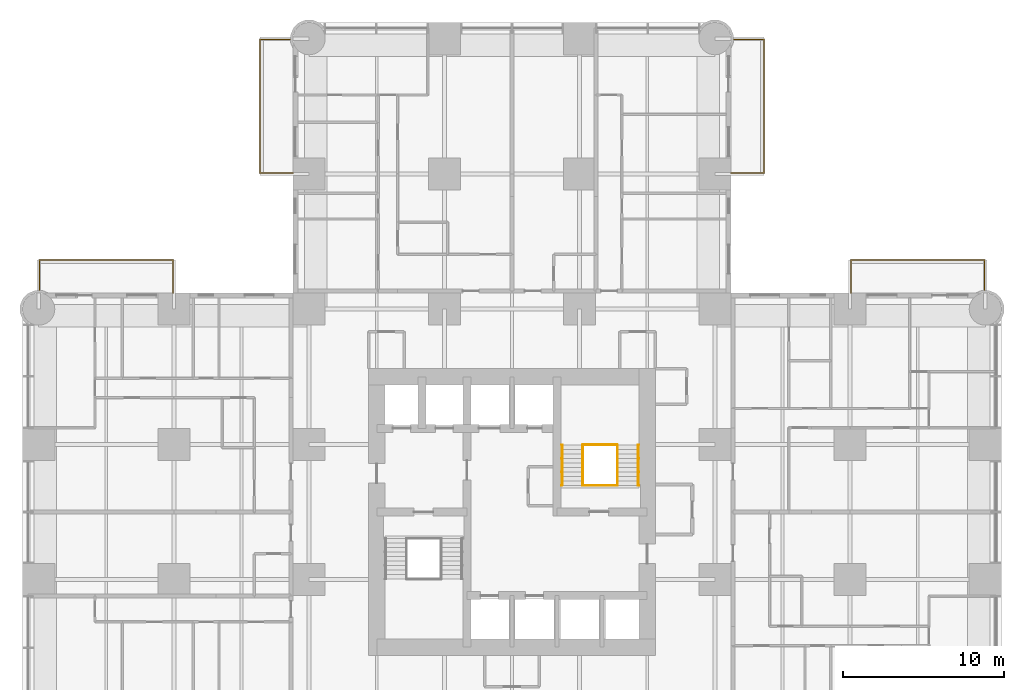
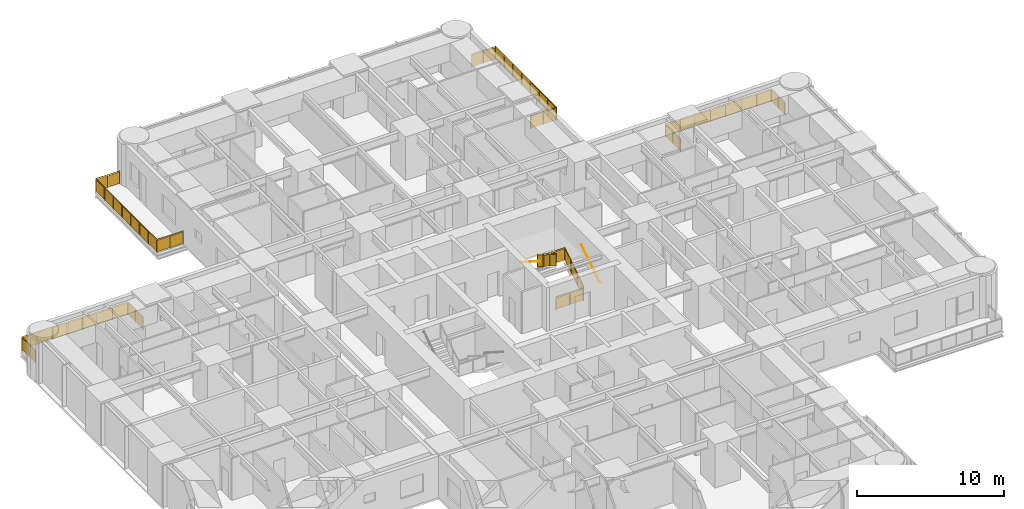
# One storey, part 17 of 17: 10 railings.
"""IFC4 building model written with IfcOpenShell, lengths in metres."""

from ifc_helpers import new_model, si_unit, direction, frame, origin, origin_2d, place, context, subcontext, project, spatial, polyline, circle, outline, extrude, material, constituent, constituent_set, type_object, element, save


model = new_model("IFC4")

# Units and contexts
model_context = context("Model", 3, precision=1e-05, world=origin(), true_north=direction((0.0, 1.0)))
body_context = subcontext(model_context, "Body", "Model", "MODEL_VIEW")
ifc_project = project(units=[si_unit("LENGTHUNIT", "METRE"), si_unit("AREAUNIT", "SQUARE_METRE"), si_unit("VOLUMEUNIT", "CUBIC_METRE"), si_unit("PLANEANGLEUNIT", "RADIAN"), si_unit("MASSUNIT", "GRAM", prefix="KILO")], contexts=[model_context])

# Site, building, storey
site_placement = place(None, origin())
site = spatial("IfcSite", under=ifc_project, at=site_placement, CompositionType="ELEMENT")
building_placement = place(site_placement, origin())
building = spatial("IfcBuilding", under=site, at=building_placement, Name="Torre Alcanfor", CompositionType="ELEMENT")
storey_placement = place(building_placement, frame((0.0, 0.0, 95.699951171875)))
storey = spatial("IfcBuildingStorey", under=building, at=storey_placement, Name="L24", CompositionType="ELEMENT", Elevation=95.699951171875)

# Railings
ifc_material_1 = material(Name="Laminated safety glass", Category="glass")
ifc_constituent_1 = constituent(ifc_material_1, Name="Infill")
ifc_material_2 = material(Name="Stainless steel ASTM A554 Grade MT 316L tube", Category="steel")
ifc_constituent_2 = constituent(ifc_material_2, Name="Posts and rail")
ifc_constituent_set = constituent_set(constituents=[ifc_constituent_1, ifc_constituent_2], Name="Balcony guard glass 1100")
railing_type_1 = type_object("IfcRailingType", Name="Balcony guard glass 1100", PredefinedType="BALUSTRADE", material=ifc_constituent_set)
railing_1_placement = place(storey_placement, frame((15.800048828125, 50.449951171875, 0.0)))
element("IfcRailing", 1, at=railing_1_placement, inside=storey, type_object=railing_type_1, Name="Balcony guard L24-N1", PredefinedType="BALUSTRADE", context=body_context, shape_type="SweptSolid", body=[
    extrude(circle(Radius=0.02392578125, at=origin_2d()), frame((0.0, 0.0, 1.076171875), z_axis=(-1.0, 0.0, 0.0), x_axis=(0.0, -1.0, 0.0)), (0.0, 0.0, 1.0), 2.050048828125),
    extrude(circle(Radius=0.02392578125, at=origin_2d()), frame((-2.050048828125, 0.0, 1.076171875), z_axis=(0.0, 1.0, 0.0), x_axis=(-1.0, 0.0, 0.0)), (0.0, 0.0, 1.0), 8.300048828125),
    extrude(circle(Radius=0.02392578125, at=origin_2d()), frame((-2.050048828125, 8.300048828125, 1.076171875), z_axis=(1.0, 0.0, 0.0), x_axis=(0.0, 1.0, 0.0)), (0.0, 0.0, 1.0), 1.868896484375),
    extrude(circle(Radius=0.02099609375, at=origin_2d()), origin(), (0.0, 0.0, 1.0), 1.052001953125),
    extrude(circle(Radius=0.02099609375, at=origin_2d()), frame((-1.02490234375, 0.0, 0.0)), (0.0, 0.0, 1.0), 1.052001953125),
    extrude(circle(Radius=0.02099609375, at=origin_2d()), frame((-2.050048828125, 0.0, 0.0)), (0.0, 0.0, 1.0), 1.052001953125),
    extrude(circle(Radius=0.02099609375, at=origin_2d()), frame((-2.050048828125, 1.185791015625, 0.0)), (0.0, 0.0, 1.0), 1.052001953125),
    extrude(circle(Radius=0.02099609375, at=origin_2d()), frame((-2.050048828125, 2.371337890625, 0.0)), (0.0, 0.0, 1.0), 1.052001953125),
    extrude(circle(Radius=0.02099609375, at=origin_2d()), frame((-2.050048828125, 3.55712890625, 0.0)), (0.0, 0.0, 1.0), 1.052001953125),
    extrude(circle(Radius=0.02099609375, at=origin_2d()), frame((-2.050048828125, 4.742919921875, 0.0)), (0.0, 0.0, 1.0), 1.052001953125),
    extrude(circle(Radius=0.02099609375, at=origin_2d()), frame((-2.050048828125, 5.9287109375, 0.0)), (0.0, 0.0, 1.0), 1.052001953125),
    extrude(circle(Radius=0.02099609375, at=origin_2d()), frame((-2.050048828125, 7.1142578125, 0.0)), (0.0, 0.0, 1.0), 1.052001953125),
    extrude(circle(Radius=0.02099609375, at=origin_2d()), frame((-2.050048828125, 8.300048828125, 0.0)), (0.0, 0.0, 1.0), 1.052001953125),
    extrude(circle(Radius=0.02099609375, at=origin_2d()), frame((-1.11572265625, 8.300048828125, 0.0)), (0.0, 0.0, 1.0), 1.052001953125),
    extrude(circle(Radius=0.02099609375, at=origin_2d()), frame((-0.18115234375, 8.300048828125, 0.0)), (0.0, 0.0, 1.0), 1.052001953125),
    extrude(outline(polyline([(0.041015625, 0.050048828125), (0.984130859375, 0.050048828125), (0.984130859375, 1.001953125), (0.041015625, 1.001953125), (0.041015625, 0.050048828125)])), frame((0.0, -0.005859375, 0.0), z_axis=(0.0, 1.0, 0.0), x_axis=(-1.0, 0.0, 0.0)), (0.0, 0.0, 1.0), 0.011962890625),
    extrude(outline(polyline([(1.06591796875, 0.050048828125), (2.009033203125, 0.050048828125), (2.009033203125, 1.001953125), (1.06591796875, 1.001953125), (1.06591796875, 0.050048828125)])), frame((0.0, -0.005859375, 0.0), z_axis=(0.0, 1.0, 0.0), x_axis=(-1.0, 0.0, 0.0)), (0.0, 0.0, 1.0), 0.011962890625),
    extrude(outline(polyline([(0.041015625, 0.050048828125), (1.144775390625, 0.050048828125), (1.144775390625, 1.001953125), (0.041015625, 1.001953125), (0.041015625, 0.050048828125)])), frame((-2.05615234375, 0.0, 0.0), z_axis=(1.0, 0.0, 0.0), x_axis=(0.0, 1.0, 0.0)), (0.0, 0.0, 1.0), 0.011962890625),
    extrude(outline(polyline([(1.226806640625, 0.050048828125), (2.330322265625, 0.050048828125), (2.330322265625, 1.001953125), (1.226806640625, 1.001953125), (1.226806640625, 0.050048828125)])), frame((-2.05615234375, 0.0, 0.0), z_axis=(1.0, 0.0, 0.0), x_axis=(0.0, 1.0, 0.0)), (0.0, 0.0, 1.0), 0.011962890625),
    extrude(outline(polyline([(2.412353515625, 0.050048828125), (3.51611328125, 0.050048828125), (3.51611328125, 1.001953125), (2.412353515625, 1.001953125), (2.412353515625, 0.050048828125)])), frame((-2.05615234375, 0.0, 0.0), z_axis=(1.0, 0.0, 0.0), x_axis=(0.0, 1.0, 0.0)), (0.0, 0.0, 1.0), 0.011962890625),
    extrude(outline(polyline([(3.59814453125, 0.050048828125), (4.701904296875, 0.050048828125), (4.701904296875, 1.001953125), (3.59814453125, 1.001953125), (3.59814453125, 0.050048828125)])), frame((-2.05615234375, 0.0, 0.0), z_axis=(1.0, 0.0, 0.0), x_axis=(0.0, 1.0, 0.0)), (0.0, 0.0, 1.0), 0.011962890625),
    extrude(outline(polyline([(4.783935546875, 0.050048828125), (5.8876953125, 0.050048828125), (5.8876953125, 1.001953125), (4.783935546875, 1.001953125), (4.783935546875, 0.050048828125)])), frame((-2.05615234375, 0.0, 0.0), z_axis=(1.0, 0.0, 0.0), x_axis=(0.0, 1.0, 0.0)), (0.0, 0.0, 1.0), 0.011962890625),
    extrude(outline(polyline([(5.9697265625, 0.050048828125), (7.0732421875, 0.050048828125), (7.0732421875, 1.001953125), (5.9697265625, 1.001953125), (5.9697265625, 0.050048828125)])), frame((-2.05615234375, 0.0, 0.0), z_axis=(1.0, 0.0, 0.0), x_axis=(0.0, 1.0, 0.0)), (0.0, 0.0, 1.0), 0.011962890625),
    extrude(outline(polyline([(7.1552734375, 0.050048828125), (8.259033203125, 0.050048828125), (8.259033203125, 1.001953125), (7.1552734375, 1.001953125), (7.1552734375, 0.050048828125)])), frame((-2.05615234375, 0.0, 0.0), z_axis=(1.0, 0.0, 0.0), x_axis=(0.0, 1.0, 0.0)), (0.0, 0.0, 1.0), 0.011962890625),
    extrude(outline(polyline([(0.041015625, 0.050048828125), (0.8935546875, 0.050048828125), (0.8935546875, 1.001953125), (0.041015625, 1.001953125), (0.041015625, 0.050048828125)])), frame((-2.050048828125, 8.30615234375, 0.0), z_axis=(0.0, -1.0, 0.0), x_axis=(1.0, 0.0, 0.0)), (0.0, 0.0, 1.0), 0.011962890625),
    extrude(outline(polyline([(0.975341796875, 0.050048828125), (1.827880859375, 0.050048828125), (1.827880859375, 1.001953125), (0.975341796875, 1.001953125), (0.975341796875, 0.050048828125)])), frame((-2.050048828125, 8.30615234375, 0.0), z_axis=(0.0, -1.0, 0.0), x_axis=(1.0, 0.0, 0.0)), (0.0, 0.0, 1.0), 0.011962890625),
])
railing_2_placement = place(storey_placement, frame((43.0, 50.449951171875, 0.0)))
element("IfcRailing", 2, at=railing_2_placement, inside=storey, type_object=railing_type_1, Name="Balcony guard L24-N2", PredefinedType="BALUSTRADE", context=body_context, shape_type="SweptSolid", body=[
    extrude(circle(Radius=0.02392578125, at=origin_2d()), frame((0.0, 0.0, 1.076171875), z_axis=(1.0, 0.0, 0.0), x_axis=(0.0, 1.0, 0.0)), (0.0, 0.0, 1.0), 2.050048828125),
    extrude(circle(Radius=0.02392578125, at=origin_2d()), frame((2.050048828125, 0.0, 1.076171875), z_axis=(0.0, 1.0, 0.0), x_axis=(-1.0, 0.0, 0.0)), (0.0, 0.0, 1.0), 8.300048828125),
    extrude(circle(Radius=0.02392578125, at=origin_2d()), frame((2.050048828125, 8.300048828125, 1.076171875), z_axis=(-1.0, 0.0, 0.0), x_axis=(0.0, -1.0, 0.0)), (0.0, 0.0, 1.0), 1.869140625),
    extrude(circle(Radius=0.02099609375, at=origin_2d()), origin(), (0.0, 0.0, 1.0), 1.052001953125),
    extrude(circle(Radius=0.02099609375, at=origin_2d()), frame((1.02490234375, 0.0, 0.0)), (0.0, 0.0, 1.0), 1.052001953125),
    extrude(circle(Radius=0.02099609375, at=origin_2d()), frame((2.050048828125, 0.0, 0.0)), (0.0, 0.0, 1.0), 1.052001953125),
    extrude(circle(Radius=0.02099609375, at=origin_2d()), frame((2.050048828125, 1.185791015625, 0.0)), (0.0, 0.0, 1.0), 1.052001953125),
    extrude(circle(Radius=0.02099609375, at=origin_2d()), frame((2.050048828125, 2.371337890625, 0.0)), (0.0, 0.0, 1.0), 1.052001953125),
    extrude(circle(Radius=0.02099609375, at=origin_2d()), frame((2.050048828125, 3.55712890625, 0.0)), (0.0, 0.0, 1.0), 1.052001953125),
    extrude(circle(Radius=0.02099609375, at=origin_2d()), frame((2.050048828125, 4.742919921875, 0.0)), (0.0, 0.0, 1.0), 1.052001953125),
    extrude(circle(Radius=0.02099609375, at=origin_2d()), frame((2.050048828125, 5.9287109375, 0.0)), (0.0, 0.0, 1.0), 1.052001953125),
    extrude(circle(Radius=0.02099609375, at=origin_2d()), frame((2.050048828125, 7.1142578125, 0.0)), (0.0, 0.0, 1.0), 1.052001953125),
    extrude(circle(Radius=0.02099609375, at=origin_2d()), frame((2.050048828125, 8.300048828125, 0.0)), (0.0, 0.0, 1.0), 1.052001953125),
    extrude(circle(Radius=0.02099609375, at=origin_2d()), frame((1.115478515625, 8.300048828125, 0.0)), (0.0, 0.0, 1.0), 1.052001953125),
    extrude(circle(Radius=0.02099609375, at=origin_2d()), frame((0.180908203125, 8.300048828125, 0.0)), (0.0, 0.0, 1.0), 1.052001953125),
    extrude(outline(polyline([(0.041015625, 0.050048828125), (0.984130859375, 0.050048828125), (0.984130859375, 1.001953125), (0.041015625, 1.001953125), (0.041015625, 0.050048828125)])), frame((0.0, 0.005859375, 0.0), z_axis=(0.0, -1.0, 0.0), x_axis=(1.0, 0.0, 0.0)), (0.0, 0.0, 1.0), 0.011962890625),
    extrude(outline(polyline([(1.06591796875, 0.050048828125), (2.009033203125, 0.050048828125), (2.009033203125, 1.001953125), (1.06591796875, 1.001953125), (1.06591796875, 0.050048828125)])), frame((0.0, 0.005859375, 0.0), z_axis=(0.0, -1.0, 0.0), x_axis=(1.0, 0.0, 0.0)), (0.0, 0.0, 1.0), 0.011962890625),
    extrude(outline(polyline([(0.041015625, 0.050048828125), (1.144775390625, 0.050048828125), (1.144775390625, 1.001953125), (0.041015625, 1.001953125), (0.041015625, 0.050048828125)])), frame((2.0439453125, 0.0, 0.0), z_axis=(1.0, 0.0, 0.0), x_axis=(0.0, 1.0, 0.0)), (0.0, 0.0, 1.0), 0.011962890625),
    extrude(outline(polyline([(1.226806640625, 0.050048828125), (2.330322265625, 0.050048828125), (2.330322265625, 1.001953125), (1.226806640625, 1.001953125), (1.226806640625, 0.050048828125)])), frame((2.0439453125, 0.0, 0.0), z_axis=(1.0, 0.0, 0.0), x_axis=(0.0, 1.0, 0.0)), (0.0, 0.0, 1.0), 0.011962890625),
    extrude(outline(polyline([(2.412353515625, 0.050048828125), (3.51611328125, 0.050048828125), (3.51611328125, 1.001953125), (2.412353515625, 1.001953125), (2.412353515625, 0.050048828125)])), frame((2.0439453125, 0.0, 0.0), z_axis=(1.0, 0.0, 0.0), x_axis=(0.0, 1.0, 0.0)), (0.0, 0.0, 1.0), 0.011962890625),
    extrude(outline(polyline([(3.59814453125, 0.050048828125), (4.701904296875, 0.050048828125), (4.701904296875, 1.001953125), (3.59814453125, 1.001953125), (3.59814453125, 0.050048828125)])), frame((2.0439453125, 0.0, 0.0), z_axis=(1.0, 0.0, 0.0), x_axis=(0.0, 1.0, 0.0)), (0.0, 0.0, 1.0), 0.011962890625),
    extrude(outline(polyline([(4.783935546875, 0.050048828125), (5.8876953125, 0.050048828125), (5.8876953125, 1.001953125), (4.783935546875, 1.001953125), (4.783935546875, 0.050048828125)])), frame((2.0439453125, 0.0, 0.0), z_axis=(1.0, 0.0, 0.0), x_axis=(0.0, 1.0, 0.0)), (0.0, 0.0, 1.0), 0.011962890625),
    extrude(outline(polyline([(5.9697265625, 0.050048828125), (7.0732421875, 0.050048828125), (7.0732421875, 1.001953125), (5.9697265625, 1.001953125), (5.9697265625, 0.050048828125)])), frame((2.0439453125, 0.0, 0.0), z_axis=(1.0, 0.0, 0.0), x_axis=(0.0, 1.0, 0.0)), (0.0, 0.0, 1.0), 0.011962890625),
    extrude(outline(polyline([(7.1552734375, 0.050048828125), (8.259033203125, 0.050048828125), (8.259033203125, 1.001953125), (7.1552734375, 1.001953125), (7.1552734375, 0.050048828125)])), frame((2.0439453125, 0.0, 0.0), z_axis=(1.0, 0.0, 0.0), x_axis=(0.0, 1.0, 0.0)), (0.0, 0.0, 1.0), 0.011962890625),
    extrude(outline(polyline([(0.041015625, 0.050048828125), (0.8935546875, 0.050048828125), (0.8935546875, 1.001953125), (0.041015625, 1.001953125), (0.041015625, 0.050048828125)])), frame((2.050048828125, 8.2939453125, 0.0), z_axis=(0.0, 1.0, 0.0), x_axis=(-1.0, 0.0, 0.0)), (0.0, 0.0, 1.0), 0.011962890625),
    extrude(outline(polyline([(0.9755859375, 0.050048828125), (1.828125, 0.050048828125), (1.828125, 1.001953125), (0.9755859375, 1.001953125), (0.9755859375, 0.050048828125)])), frame((2.050048828125, 8.2939453125, 0.0), z_axis=(0.0, 1.0, 0.0), x_axis=(-1.0, 0.0, 0.0)), (0.0, 0.0, 1.0), 0.011962890625),
])
railing_3_placement = place(storey_placement, frame((50.449951171875, 43.0, 0.0)))
element("IfcRailing", 3, at=railing_3_placement, inside=storey, type_object=railing_type_1, Name="Balcony guard L24-E1", PredefinedType="BALUSTRADE", context=body_context, shape_type="SweptSolid", body=[
    extrude(circle(Radius=0.02392578125, at=origin_2d()), frame((0.0, 0.0, 1.076171875), z_axis=(0.0, 1.0, 0.0), x_axis=(-1.0, 0.0, 0.0)), (0.0, 0.0, 1.0), 2.050048828125),
    extrude(circle(Radius=0.02392578125, at=origin_2d()), frame((0.0, 2.050048828125, 1.076171875), z_axis=(1.0, 0.0, 0.0), x_axis=(0.0, 1.0, 0.0)), (0.0, 0.0, 1.0), 8.300048828125),
    extrude(circle(Radius=0.02392578125, at=origin_2d()), frame((8.300048828125, 2.050048828125, 1.076171875), z_axis=(0.0, -1.0, 0.0), x_axis=(1.0, 0.0, 0.0)), (0.0, 0.0, 1.0), 1.869140625),
    extrude(circle(Radius=0.02099609375, at=origin_2d()), origin(), (0.0, 0.0, 1.0), 1.052001953125),
    extrude(circle(Radius=0.02099609375, at=origin_2d()), frame((0.0, 1.02490234375, 0.0)), (0.0, 0.0, 1.0), 1.052001953125),
    extrude(circle(Radius=0.02099609375, at=origin_2d()), frame((0.0, 2.050048828125, 0.0)), (0.0, 0.0, 1.0), 1.052001953125),
    extrude(circle(Radius=0.02099609375, at=origin_2d()), frame((1.185791015625, 2.050048828125, 0.0)), (0.0, 0.0, 1.0), 1.052001953125),
    extrude(circle(Radius=0.02099609375, at=origin_2d()), frame((2.371337890625, 2.050048828125, 0.0)), (0.0, 0.0, 1.0), 1.052001953125),
    extrude(circle(Radius=0.02099609375, at=origin_2d()), frame((3.55712890625, 2.050048828125, 0.0)), (0.0, 0.0, 1.0), 1.052001953125),
    extrude(circle(Radius=0.02099609375, at=origin_2d()), frame((4.742919921875, 2.050048828125, 0.0)), (0.0, 0.0, 1.0), 1.052001953125),
    extrude(circle(Radius=0.02099609375, at=origin_2d()), frame((5.9287109375, 2.050048828125, 0.0)), (0.0, 0.0, 1.0), 1.052001953125),
    extrude(circle(Radius=0.02099609375, at=origin_2d()), frame((7.1142578125, 2.050048828125, 0.0)), (0.0, 0.0, 1.0), 1.052001953125),
    extrude(circle(Radius=0.02099609375, at=origin_2d()), frame((8.300048828125, 2.050048828125, 0.0)), (0.0, 0.0, 1.0), 1.052001953125),
    extrude(circle(Radius=0.02099609375, at=origin_2d()), frame((8.300048828125, 1.115478515625, 0.0)), (0.0, 0.0, 1.0), 1.052001953125),
    extrude(circle(Radius=0.02099609375, at=origin_2d()), frame((8.300048828125, 0.180908203125, 0.0)), (0.0, 0.0, 1.0), 1.052001953125),
    extrude(outline(polyline([(0.041015625, 0.050048828125), (0.984130859375, 0.050048828125), (0.984130859375, 1.001953125), (0.041015625, 1.001953125), (0.041015625, 0.050048828125)])), frame((-0.005859375, 0.0, 0.0), z_axis=(1.0, 0.0, 0.0), x_axis=(0.0, 1.0, 0.0)), (0.0, 0.0, 1.0), 0.011962890625),
    extrude(outline(polyline([(1.06591796875, 0.050048828125), (2.009033203125, 0.050048828125), (2.009033203125, 1.001953125), (1.06591796875, 1.001953125), (1.06591796875, 0.050048828125)])), frame((-0.005859375, 0.0, 0.0), z_axis=(1.0, 0.0, 0.0), x_axis=(0.0, 1.0, 0.0)), (0.0, 0.0, 1.0), 0.011962890625),
    extrude(outline(polyline([(0.041015625, 0.050048828125), (1.144775390625, 0.050048828125), (1.144775390625, 1.001953125), (0.041015625, 1.001953125), (0.041015625, 0.050048828125)])), frame((0.0, 2.05615234375, 0.0), z_axis=(0.0, -1.0, 0.0), x_axis=(1.0, 0.0, 0.0)), (0.0, 0.0, 1.0), 0.011962890625),
    extrude(outline(polyline([(1.226806640625, 0.050048828125), (2.330322265625, 0.050048828125), (2.330322265625, 1.001953125), (1.226806640625, 1.001953125), (1.226806640625, 0.050048828125)])), frame((0.0, 2.05615234375, 0.0), z_axis=(0.0, -1.0, 0.0), x_axis=(1.0, 0.0, 0.0)), (0.0, 0.0, 1.0), 0.011962890625),
    extrude(outline(polyline([(2.412353515625, 0.050048828125), (3.51611328125, 0.050048828125), (3.51611328125, 1.001953125), (2.412353515625, 1.001953125), (2.412353515625, 0.050048828125)])), frame((0.0, 2.05615234375, 0.0), z_axis=(0.0, -1.0, 0.0), x_axis=(1.0, 0.0, 0.0)), (0.0, 0.0, 1.0), 0.011962890625),
    extrude(outline(polyline([(3.59814453125, 0.050048828125), (4.701904296875, 0.050048828125), (4.701904296875, 1.001953125), (3.59814453125, 1.001953125), (3.59814453125, 0.050048828125)])), frame((0.0, 2.05615234375, 0.0), z_axis=(0.0, -1.0, 0.0), x_axis=(1.0, 0.0, 0.0)), (0.0, 0.0, 1.0), 0.011962890625),
    extrude(outline(polyline([(4.783935546875, 0.050048828125), (5.8876953125, 0.050048828125), (5.8876953125, 1.001953125), (4.783935546875, 1.001953125), (4.783935546875, 0.050048828125)])), frame((0.0, 2.05615234375, 0.0), z_axis=(0.0, -1.0, 0.0), x_axis=(1.0, 0.0, 0.0)), (0.0, 0.0, 1.0), 0.011962890625),
    extrude(outline(polyline([(5.9697265625, 0.050048828125), (7.0732421875, 0.050048828125), (7.0732421875, 1.001953125), (5.9697265625, 1.001953125), (5.9697265625, 0.050048828125)])), frame((0.0, 2.05615234375, 0.0), z_axis=(0.0, -1.0, 0.0), x_axis=(1.0, 0.0, 0.0)), (0.0, 0.0, 1.0), 0.011962890625),
    extrude(outline(polyline([(7.1552734375, 0.050048828125), (8.259033203125, 0.050048828125), (8.259033203125, 1.001953125), (7.1552734375, 1.001953125), (7.1552734375, 0.050048828125)])), frame((0.0, 2.05615234375, 0.0), z_axis=(0.0, -1.0, 0.0), x_axis=(1.0, 0.0, 0.0)), (0.0, 0.0, 1.0), 0.011962890625),
    extrude(outline(polyline([(0.041015625, 0.050048828125), (0.8935546875, 0.050048828125), (0.8935546875, 1.001953125), (0.041015625, 1.001953125), (0.041015625, 0.050048828125)])), frame((8.30615234375, 2.050048828125, 0.0), z_axis=(-1.0, 0.0, 0.0), x_axis=(0.0, -1.0, 0.0)), (0.0, 0.0, 1.0), 0.011962890625),
    extrude(outline(polyline([(0.9755859375, 0.050048828125), (1.828125, 0.050048828125), (1.828125, 1.001953125), (0.9755859375, 1.001953125), (0.9755859375, 0.050048828125)])), frame((8.30615234375, 2.050048828125, 0.0), z_axis=(-1.0, 0.0, 0.0), x_axis=(0.0, -1.0, 0.0)), (0.0, 0.0, 1.0), 0.011962890625),
])
railing_4_placement = place(storey_placement, frame((8.35009765625, 43.0, 0.0)))
element("IfcRailing", 4, at=railing_4_placement, inside=storey, type_object=railing_type_1, Name="Balcony guard L24-W2", PredefinedType="BALUSTRADE", context=body_context, shape_type="SweptSolid", body=[
    extrude(circle(Radius=0.02392578125, at=origin_2d()), frame((0.0, 0.0, 1.076171875), z_axis=(0.0, 1.0, 0.0), x_axis=(-1.0, 0.0, 0.0)), (0.0, 0.0, 1.0), 2.050048828125),
    extrude(circle(Radius=0.02392578125, at=origin_2d()), frame((0.0, 2.050048828125, 1.076171875), z_axis=(-1.0, 0.0, 0.0), x_axis=(0.0, -1.0, 0.0)), (0.0, 0.0, 1.0), 8.300048828125),
    extrude(circle(Radius=0.02392578125, at=origin_2d()), frame((-8.300048828125, 2.050048828125, 1.076171875), z_axis=(0.0, -1.0, 0.0), x_axis=(1.0, 0.0, 0.0)), (0.0, 0.0, 1.0), 1.869140625),
    extrude(circle(Radius=0.02099609375, at=origin_2d()), origin(), (0.0, 0.0, 1.0), 1.052001953125),
    extrude(circle(Radius=0.02099609375, at=origin_2d()), frame((0.0, 1.02490234375, 0.0)), (0.0, 0.0, 1.0), 1.052001953125),
    extrude(circle(Radius=0.02099609375, at=origin_2d()), frame((0.0, 2.050048828125, 0.0)), (0.0, 0.0, 1.0), 1.052001953125),
    extrude(circle(Radius=0.02099609375, at=origin_2d()), frame((-1.185791015625, 2.050048828125, 0.0)), (0.0, 0.0, 1.0), 1.052001953125),
    extrude(circle(Radius=0.02099609375, at=origin_2d()), frame((-2.371337890625, 2.050048828125, 0.0)), (0.0, 0.0, 1.0), 1.052001953125),
    extrude(circle(Radius=0.02099609375, at=origin_2d()), frame((-3.55712890625, 2.050048828125, 0.0)), (0.0, 0.0, 1.0), 1.052001953125),
    extrude(circle(Radius=0.02099609375, at=origin_2d()), frame((-4.742919921875, 2.050048828125, 0.0)), (0.0, 0.0, 1.0), 1.052001953125),
    extrude(circle(Radius=0.02099609375, at=origin_2d()), frame((-5.9287109375, 2.050048828125, 0.0)), (0.0, 0.0, 1.0), 1.052001953125),
    extrude(circle(Radius=0.02099609375, at=origin_2d()), frame((-7.1142578125, 2.050048828125, 0.0)), (0.0, 0.0, 1.0), 1.052001953125),
    extrude(circle(Radius=0.02099609375, at=origin_2d()), frame((-8.300048828125, 2.050048828125, 0.0)), (0.0, 0.0, 1.0), 1.052001953125),
    extrude(circle(Radius=0.02099609375, at=origin_2d()), frame((-8.300048828125, 1.115478515625, 0.0)), (0.0, 0.0, 1.0), 1.052001953125),
    extrude(circle(Radius=0.02099609375, at=origin_2d()), frame((-8.300048828125, 0.180908203125, 0.0)), (0.0, 0.0, 1.0), 1.052001953125),
    extrude(outline(polyline([(0.041015625, 0.050048828125), (0.984130859375, 0.050048828125), (0.984130859375, 1.001953125), (0.041015625, 1.001953125), (0.041015625, 0.050048828125)])), frame((-0.005859375, 0.0, 0.0), z_axis=(1.0, 0.0, 0.0), x_axis=(0.0, 1.0, 0.0)), (0.0, 0.0, 1.0), 0.011962890625),
    extrude(outline(polyline([(1.06591796875, 0.050048828125), (2.009033203125, 0.050048828125), (2.009033203125, 1.001953125), (1.06591796875, 1.001953125), (1.06591796875, 0.050048828125)])), frame((-0.005859375, 0.0, 0.0), z_axis=(1.0, 0.0, 0.0), x_axis=(0.0, 1.0, 0.0)), (0.0, 0.0, 1.0), 0.011962890625),
    extrude(outline(polyline([(0.041015625, 0.050048828125), (1.144775390625, 0.050048828125), (1.144775390625, 1.001953125), (0.041015625, 1.001953125), (0.041015625, 0.050048828125)])), frame((0.0, 2.0439453125, 0.0), z_axis=(0.0, 1.0, 0.0), x_axis=(-1.0, 0.0, 0.0)), (0.0, 0.0, 1.0), 0.011962890625),
    extrude(outline(polyline([(1.226806640625, 0.050048828125), (2.330322265625, 0.050048828125), (2.330322265625, 1.001953125), (1.226806640625, 1.001953125), (1.226806640625, 0.050048828125)])), frame((0.0, 2.0439453125, 0.0), z_axis=(0.0, 1.0, 0.0), x_axis=(-1.0, 0.0, 0.0)), (0.0, 0.0, 1.0), 0.011962890625),
    extrude(outline(polyline([(2.412353515625, 0.050048828125), (3.51611328125, 0.050048828125), (3.51611328125, 1.001953125), (2.412353515625, 1.001953125), (2.412353515625, 0.050048828125)])), frame((0.0, 2.0439453125, 0.0), z_axis=(0.0, 1.0, 0.0), x_axis=(-1.0, 0.0, 0.0)), (0.0, 0.0, 1.0), 0.011962890625),
    extrude(outline(polyline([(3.59814453125, 0.050048828125), (4.701904296875, 0.050048828125), (4.701904296875, 1.001953125), (3.59814453125, 1.001953125), (3.59814453125, 0.050048828125)])), frame((0.0, 2.0439453125, 0.0), z_axis=(0.0, 1.0, 0.0), x_axis=(-1.0, 0.0, 0.0)), (0.0, 0.0, 1.0), 0.011962890625),
    extrude(outline(polyline([(4.783935546875, 0.050048828125), (5.8876953125, 0.050048828125), (5.8876953125, 1.001953125), (4.783935546875, 1.001953125), (4.783935546875, 0.050048828125)])), frame((0.0, 2.0439453125, 0.0), z_axis=(0.0, 1.0, 0.0), x_axis=(-1.0, 0.0, 0.0)), (0.0, 0.0, 1.0), 0.011962890625),
    extrude(outline(polyline([(5.9697265625, 0.050048828125), (7.0732421875, 0.050048828125), (7.0732421875, 1.001953125), (5.9697265625, 1.001953125), (5.9697265625, 0.050048828125)])), frame((0.0, 2.0439453125, 0.0), z_axis=(0.0, 1.0, 0.0), x_axis=(-1.0, 0.0, 0.0)), (0.0, 0.0, 1.0), 0.011962890625),
    extrude(outline(polyline([(7.1552734375, 0.050048828125), (8.259033203125, 0.050048828125), (8.259033203125, 1.001953125), (7.1552734375, 1.001953125), (7.1552734375, 0.050048828125)])), frame((0.0, 2.0439453125, 0.0), z_axis=(0.0, 1.0, 0.0), x_axis=(-1.0, 0.0, 0.0)), (0.0, 0.0, 1.0), 0.011962890625),
    extrude(outline(polyline([(0.041015625, 0.050048828125), (0.8935546875, 0.050048828125), (0.8935546875, 1.001953125), (0.041015625, 1.001953125), (0.041015625, 0.050048828125)])), frame((-8.2939453125, 2.050048828125, 0.0), z_axis=(-1.0, 0.0, 0.0), x_axis=(0.0, -1.0, 0.0)), (0.0, 0.0, 1.0), 0.011962890625),
    extrude(outline(polyline([(0.9755859375, 0.050048828125), (1.828125, 0.050048828125), (1.828125, 1.001953125), (0.9755859375, 1.001953125), (0.9755859375, 0.050048828125)])), frame((-8.2939453125, 2.050048828125, 0.0), z_axis=(-1.0, 0.0, 0.0), x_axis=(0.0, -1.0, 0.0)), (0.0, 0.0, 1.0), 0.011962890625),
])
ifc_material_3 = material(Name="Steel ASTM A500 Grade C hollow sections", Category="steel")
railing_type_2 = type_object("IfcRailingType", Name="Stair guard and handrail 1100", PredefinedType="GUARDRAIL", material=ifc_material_3)
railing_5_placement = place(storey_placement, frame((35.949951171875, 31.050048828125, 0.179931640625)))
element("IfcRailing", 5, at=railing_5_placement, inside=storey, type_object=railing_type_2, Name="Stair guard S2 L24 flight 1", PredefinedType="GUARDRAIL", context=body_context, shape_type="SweptSolid", body=[
    extrude(circle(Radius=0.02392578125, at=origin_2d()), frame((0.0, 0.0, 1.076171875), z_axis=(0.0, 0.841162588446, 0.540782303519), x_axis=(-1.0, 0.0, 0.0)), (0.0, 0.0, 1.0), 2.995849609375),
    extrude(circle(Radius=0.02099609375, at=origin_2d()), origin(), (0.0, 0.0, 1.0), 1.052001953125),
    extrude(circle(Radius=0.02099609375, at=origin_2d()), frame((0.0, 0.840087890625, 0.5400390625)), (0.0, 0.0, 1.0), 1.052001953125),
    extrude(circle(Radius=0.02099609375, at=origin_2d()), frame((0.0, 1.679931640625, 1.080078125)), (0.0, 0.0, 1.0), 1.052001953125),
    extrude(circle(Radius=0.02099609375, at=origin_2d()), frame((0.0, 2.52001953125, 1.6201171875)), (0.0, 0.0, 1.0), 1.052001953125),
    extrude(outline(polyline([(0.041015625, 0.076416015625), (0.799072265625, 0.563720703125), (0.799072265625, 1.515625), (0.041015625, 1.0283203125), (0.041015625, 0.076416015625)])), frame((-0.005859375, 0.0, 0.0), z_axis=(1.0, 0.0, 0.0), x_axis=(0.0, 1.0, 0.0)), (0.0, 0.0, 1.0), 0.011962890625),
    extrude(outline(polyline([(0.881103515625, 0.616455078125), (1.638916015625, 1.103759765625), (1.638916015625, 2.0556640625), (0.881103515625, 1.568359375), (0.881103515625, 0.616455078125)])), frame((-0.005859375, 0.0, 0.0), z_axis=(1.0, 0.0, 0.0), x_axis=(0.0, 1.0, 0.0)), (0.0, 0.0, 1.0), 0.011962890625),
    extrude(outline(polyline([(1.720947265625, 1.156494140625), (2.47900390625, 1.643798828125), (2.47900390625, 2.595703125), (1.720947265625, 2.1083984375), (1.720947265625, 1.156494140625)])), frame((-0.005859375, 0.0, 0.0), z_axis=(1.0, 0.0, 0.0), x_axis=(0.0, 1.0, 0.0)), (0.0, 0.0, 1.0), 0.011962890625),
])
railing_6_placement = place(storey_placement, frame((33.800048828125, 33.570068359375, 1.97998046875)))
element("IfcRailing", 6, at=railing_6_placement, inside=storey, type_object=railing_type_2, Name="Stair guard S2 L24 flight 2", PredefinedType="GUARDRAIL", context=body_context, shape_type="SweptSolid", body=[
    extrude(circle(Radius=0.02392578125, at=origin_2d()), frame((0.0, 0.0, 1.076171875), z_axis=(0.0, -0.841162588446, 0.540782303519), x_axis=(1.0, 0.0, 0.0)), (0.0, 0.0, 1.0), 2.995849609375),
    extrude(circle(Radius=0.02099609375, at=origin_2d()), origin(), (0.0, 0.0, 1.0), 1.052001953125),
    extrude(circle(Radius=0.02099609375, at=origin_2d()), frame((0.0, -0.840087890625, 0.5400390625)), (0.0, 0.0, 1.0), 1.052001953125),
    extrude(circle(Radius=0.02099609375, at=origin_2d()), frame((0.0, -1.679931640625, 1.080078125)), (0.0, 0.0, 1.0), 1.052001953125),
    extrude(circle(Radius=0.02099609375, at=origin_2d()), frame((0.0, -2.52001953125, 1.6201171875)), (0.0, 0.0, 1.0), 1.052001953125),
    extrude(outline(polyline([(0.041015625, 0.076416015625), (0.799072265625, 0.563720703125), (0.799072265625, 1.515625), (0.041015625, 1.0283203125), (0.041015625, 0.076416015625)])), frame((0.005859375, 0.0, 0.0), z_axis=(-1.0, 0.0, 0.0), x_axis=(0.0, -1.0, 0.0)), (0.0, 0.0, 1.0), 0.011962890625),
    extrude(outline(polyline([(0.881103515625, 0.616455078125), (1.638916015625, 1.103759765625), (1.638916015625, 2.0556640625), (0.881103515625, 1.568359375), (0.881103515625, 0.616455078125)])), frame((0.005859375, 0.0, 0.0), z_axis=(-1.0, 0.0, 0.0), x_axis=(0.0, -1.0, 0.0)), (0.0, 0.0, 1.0), 0.011962890625),
    extrude(outline(polyline([(1.720947265625, 1.156494140625), (2.47900390625, 1.643798828125), (2.47900390625, 2.595703125), (1.720947265625, 2.1083984375), (1.720947265625, 1.156494140625)])), frame((0.005859375, 0.0, 0.0), z_axis=(-1.0, 0.0, 0.0), x_axis=(0.0, -1.0, 0.0)), (0.0, 0.0, 1.0), 0.011962890625),
])
for number, where, name in (
    (7, (33.800048828125, 31.050048828125, 0.0), "Stair well guard S2 L24 floor landing"),
    (8, (33.800048828125, 33.570068359375, 1.800048828125), "Stair well guard S2 L24 half landing"),
):
    element("IfcRailing", number, at=place(storey_placement, frame(where)), inside=storey, type_object=railing_type_2, Name=name, PredefinedType="GUARDRAIL", context=body_context, shape_type="SweptSolid", body=[
        extrude(circle(Radius=0.02392578125, at=origin_2d()), frame((0.0, 0.0, 1.076171875), z_axis=(1.0, 0.0, 0.0), x_axis=(0.0, 1.0, 0.0)), (0.0, 0.0, 1.0), 2.14990234375),
        extrude(circle(Radius=0.02099609375, at=origin_2d()), origin(), (0.0, 0.0, 1.0), 1.052001953125),
        extrude(circle(Radius=0.02099609375, at=origin_2d()), frame((1.074951171875, 0.0, 0.0)), (0.0, 0.0, 1.0), 1.052001953125),
        extrude(circle(Radius=0.02099609375, at=origin_2d()), frame((2.14990234375, 0.0, 0.0)), (0.0, 0.0, 1.0), 1.052001953125),
        extrude(outline(polyline([(0.041015625, 0.050048828125), (1.033935546875, 0.050048828125), (1.033935546875, 1.001953125), (0.041015625, 1.001953125), (0.041015625, 0.050048828125)])), frame((0.0, 0.005859375, 0.0), z_axis=(0.0, -1.0, 0.0), x_axis=(1.0, 0.0, 0.0)), (0.0, 0.0, 1.0), 0.011962890625),
        extrude(outline(polyline([(1.115966796875, 0.050048828125), (2.10888671875, 0.050048828125), (2.10888671875, 1.001953125), (1.115966796875, 1.001953125), (1.115966796875, 0.050048828125)])), frame((0.0, 0.005859375, 0.0), z_axis=(0.0, -1.0, 0.0), x_axis=(1.0, 0.0, 0.0)), (0.0, 0.0, 1.0), 0.011962890625),
    ])
ifc_material_4 = material(Name="Steel ASTM A500 Grade C hollow sections", Category="steel")
railing_type_3 = type_object("IfcRailingType", Name="Stair wall handrail 900", PredefinedType="HANDRAIL", material=ifc_material_4)
railing_7_placement = place(storey_placement, frame((37.235107421875, 31.050048828125, 0.179931640625)))
element("IfcRailing", 9, at=railing_7_placement, inside=storey, type_object=railing_type_3, Name="Stair handrail S2 L24 flight 1", PredefinedType="HANDRAIL", context=body_context, shape_type="SweptSolid", body=[
    extrude(circle(Radius=0.02392578125, at=origin_2d()), frame((0.0, 0.0, 0.8759765625), z_axis=(0.0, 0.841162588446, 0.540782303519), x_axis=(-1.0, 0.0, 0.0)), (0.0, 0.0, 1.0), 2.995849609375),
    extrude(circle(Radius=0.008056640625, at=origin_2d()), frame((0.0, 0.0, 0.8759765625), z_axis=(1.0, 0.0, 0.0), x_axis=(0.0, 0.0, 1.0)), (0.0, 0.0, 1.0), 0.06494140625),
    extrude(circle(Radius=0.008056640625, at=origin_2d()), frame((0.0, 0.840087890625, 1.416015625), z_axis=(1.0, 0.0, 0.0), x_axis=(0.0, 0.0, 1.0)), (0.0, 0.0, 1.0), 0.06494140625),
    extrude(circle(Radius=0.008056640625, at=origin_2d()), frame((0.0, 1.679931640625, 1.9560546875), z_axis=(1.0, 0.0, 0.0), x_axis=(0.0, 0.0, 1.0)), (0.0, 0.0, 1.0), 0.06494140625),
    extrude(circle(Radius=0.008056640625, at=origin_2d()), frame((0.0, 2.52001953125, 2.49609375), z_axis=(1.0, 0.0, 0.0), x_axis=(0.0, 0.0, 1.0)), (0.0, 0.0, 1.0), 0.06494140625),
])
railing_8_placement = place(storey_placement, frame((32.514892578125, 33.570068359375, 1.97998046875)))
element("IfcRailing", 10, at=railing_8_placement, inside=storey, type_object=railing_type_3, Name="Stair handrail S2 L24 flight 2", PredefinedType="HANDRAIL", context=body_context, shape_type="SweptSolid", body=[
    extrude(circle(Radius=0.02392578125, at=origin_2d()), frame((0.0, 0.0, 0.8759765625), z_axis=(0.0, -0.841162588446, 0.540782303519), x_axis=(1.0, 0.0, 0.0)), (0.0, 0.0, 1.0), 2.995849609375),
    extrude(circle(Radius=0.008056640625, at=origin_2d()), frame((0.0, 0.0, 0.8759765625), z_axis=(-1.0, 0.0, 0.0), x_axis=(0.0, 0.0, 1.0)), (0.0, 0.0, 1.0), 0.06494140625),
    extrude(circle(Radius=0.008056640625, at=origin_2d()), frame((0.0, -0.840087890625, 1.416015625), z_axis=(-1.0, 0.0, 0.0), x_axis=(0.0, 0.0, 1.0)), (0.0, 0.0, 1.0), 0.06494140625),
    extrude(circle(Radius=0.008056640625, at=origin_2d()), frame((0.0, -1.679931640625, 1.9560546875), z_axis=(-1.0, 0.0, 0.0), x_axis=(0.0, 0.0, 1.0)), (0.0, 0.0, 1.0), 0.06494140625),
    extrude(circle(Radius=0.008056640625, at=origin_2d()), frame((0.0, -2.52001953125, 2.49609375), z_axis=(-1.0, 0.0, 0.0), x_axis=(0.0, 0.0, 1.0)), (0.0, 0.0, 1.0), 0.06494140625),
])

save(model, "model.ifc")
